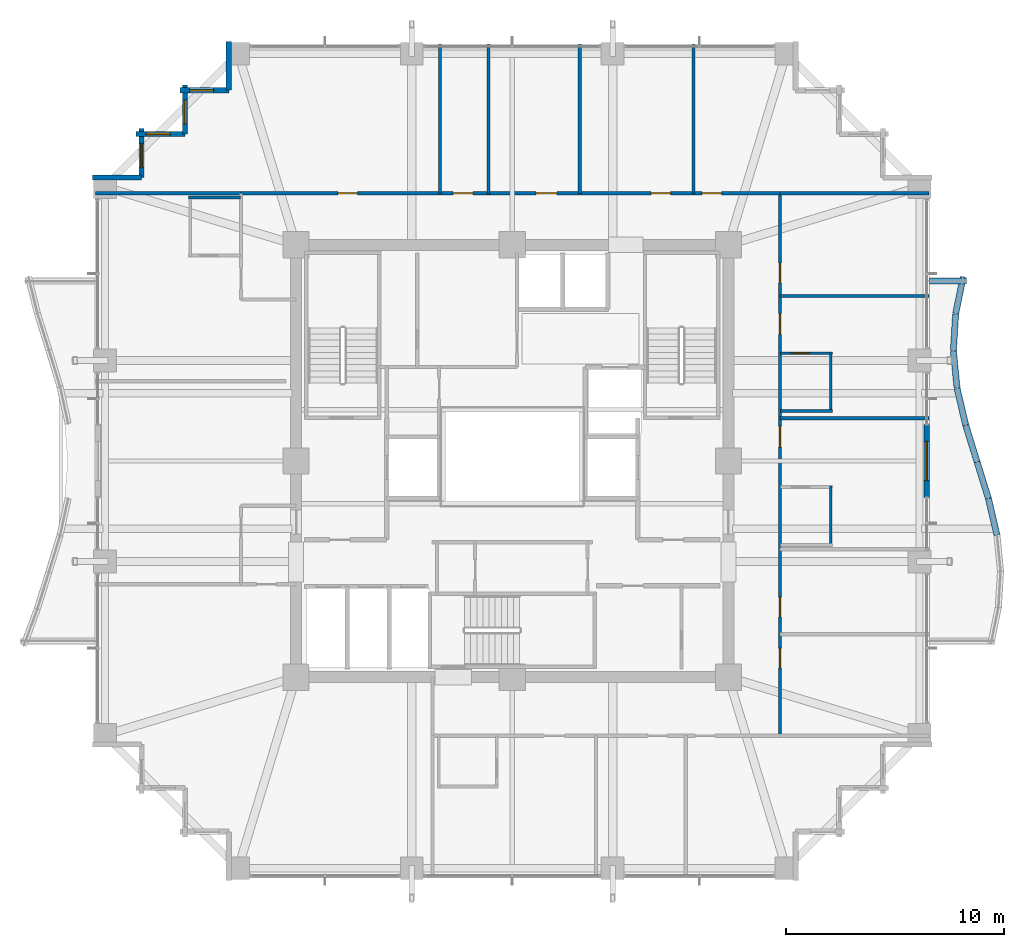
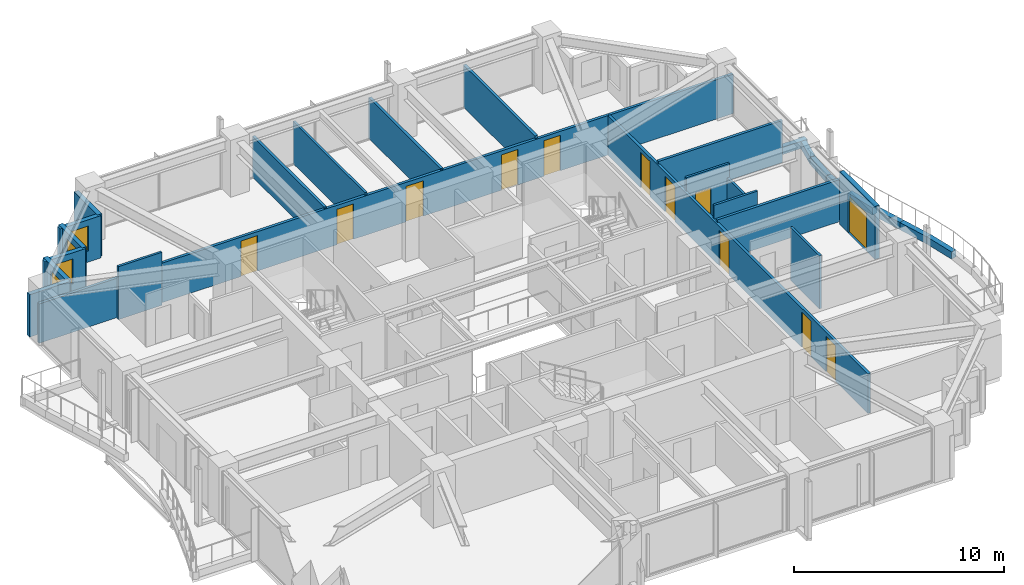
# One storey, part 32 of 35: 30 walls, 12 doors, 4 windows, 16 openings.
"""IFC4 building model written with IfcOpenShell, lengths in metres."""

import ifcopenshell
import ifcopenshell.guid

model = None  # the IFC model being written
_history = None  # IfcOwnerHistory: only IFC2X3 demands one
_inside = {}  # id of a spatial element -> (the spatial element, [elements in it])
_under = {}  # id of a project, library or spatial element -> (it, [spatial elements below it])
_declared = {}  # id of a project -> (the project, [libraries it declares])
_typed = {}  # id of a type object -> (the type object, [elements of that type])
_made_of = {}  # id of a material, layer set ... -> (it, [elements and type objects made of it])


def new_model(schema):
    """Start an empty IFC model of exactly this schema.

    Asked for "IFC4X3", IfcOpenShell would pick the latest addendum, in which some entities
    have other attributes; the version numbers below select the first issue.
    IFC2X3 requires an IfcOwnerHistory on every rooted entity: one is made here for all.
    """
    global model, _history
    if schema == "IFC4X3":
        model = ifcopenshell.file(schema_version=(4, 3, 0, 0))
    else:
        model = ifcopenshell.file(schema=schema)
    _inside.clear()
    _under.clear()
    _declared.clear()
    _typed.clear()
    _made_of.clear()
    _history = None
    if model.schema == "IFC2X3":
        org = make("IfcOrganization", Name="unknown")
        user = make(
            "IfcPersonAndOrganization",
            ThePerson=make("IfcPerson", FamilyName="unknown"),
            TheOrganization=org,
        )
        app = make(
            "IfcApplication",
            ApplicationDeveloper=org,
            Version="unknown",
            ApplicationFullName="unknown",
            ApplicationIdentifier="unknown",
        )
        _history = make(
            "IfcOwnerHistory",
            OwningUser=user,
            OwningApplication=app,
            ChangeAction="ADDED",
            CreationDate=0,
        )
    return model


def make(cls, **values):
    """One entity of the class cls with the attributes given. An attribute that is None is left unset."""
    return model.create_entity(
        cls, **{name: value for name, value in values.items() if value is not None}
    )


def rooted(cls, **values):
    """An entity with a GlobalId (a new one), such as an element, a storey or a relation."""
    return make(cls, GlobalId=ifcopenshell.guid.new(), OwnerHistory=_history, **values)


def si_unit(unit_type, name, prefix=None):
    """IfcSIUnit, for example si_unit("LENGTHUNIT", "METRE", prefix="MILLI")."""
    return make("IfcSIUnit", UnitType=unit_type, Prefix=prefix, Name=name)


def assignment(units):
    """IfcUnitAssignment: the units of a project."""
    return None if units is None else make("IfcUnitAssignment", Units=units)


def point(xyz):
    """IfcCartesianPoint."""
    return None if xyz is None else make("IfcCartesianPoint", Coordinates=xyz)


def direction(xyz):
    """IfcDirection."""
    return None if xyz is None else make("IfcDirection", DirectionRatios=xyz)


def frame(location, z_axis=None, x_axis=None):
    """IfcAxis2Placement3D, a coordinate frame: its origin and axes. An axis left out is left unset."""
    return make(
        "IfcAxis2Placement3D",
        Location=point(location),
        Axis=direction(z_axis),
        RefDirection=direction(x_axis),
    )


def frame_2d(location, x_axis=None):
    """IfcAxis2Placement2D, a coordinate frame in the plane: its origin and x axis."""
    return make(
        "IfcAxis2Placement2D", Location=point(location), RefDirection=direction(x_axis)
    )


def origin():
    """The frame at (0, 0, 0) with its axes left unset."""
    return frame((0.0, 0.0, 0.0))


def place(relative_to, where):
    """IfcLocalPlacement: puts the frame where relative to a parent placement (None: the world)."""
    return make(
        "IfcLocalPlacement", PlacementRelTo=relative_to, RelativePlacement=where
    )


def context(
    kind, dimensions, precision=None, world=None, true_north=None, identifier=None
):
    """IfcGeometricRepresentationContext, for example the 3D "Model" context."""
    return make(
        "IfcGeometricRepresentationContext",
        ContextIdentifier=identifier,
        ContextType=kind,
        CoordinateSpaceDimension=dimensions,
        Precision=precision,
        WorldCoordinateSystem=world,
        TrueNorth=true_north,
    )


def subcontext(parent, identifier, kind, view, scale=None):
    """IfcGeometricRepresentationSubContext, for example "Body" below "Model"."""
    return make(
        "IfcGeometricRepresentationSubContext",
        ContextIdentifier=identifier,
        ContextType=kind,
        ParentContext=parent,
        TargetScale=scale,
        TargetView=view,
    )


def project(units=None, contexts=None):
    """IfcProject with its units and contexts."""
    return rooted(
        "IfcProject",
        Name="project",
        RepresentationContexts=contexts,
        UnitsInContext=assignment(units),
    )


def spatial(cls, under=None, at=None, **own):
    """A site, building, storey or space (cls), placed at a placement, below another one or the project."""
    s = rooted(cls, ObjectPlacement=at, **own)
    if under is not None:
        _under.setdefault(under.id(), (under, []))[1].append(s)
    return s


def profile(cls, at=None, kind="AREA", **sizes):
    """A parametric profile (cls). Its sizes go by their IFC names, for example OverallWidth=200.0."""
    return make(cls, ProfileType=kind, Position=at, **sizes)


def rectangle(**sizes):
    """IfcRectangleProfileDef."""
    return profile("IfcRectangleProfileDef", **sizes)


def extrude(swept, where, along, depth):
    """IfcExtrudedAreaSolid: the profile swept, set in the frame where, extruded along a direction by depth."""
    return make(
        "IfcExtrudedAreaSolid",
        SweptArea=swept,
        Position=where,
        ExtrudedDirection=direction(along),
        Depth=depth,
    )


def shape(context_of_items, identifier, shape_type, items):
    """IfcShapeRepresentation: the items that make up one representation, for example the "Body"."""
    return make(
        "IfcShapeRepresentation",
        ContextOfItems=context_of_items,
        RepresentationIdentifier=identifier,
        RepresentationType=shape_type,
        Items=items,
    )


def material(Name=None, Category=None):
    """IfcMaterial."""
    return make("IfcMaterial", Name=Name, Category=Category)


def layer(
    of_material, thickness, ventilated=None, Name=None, Category=None, Priority=None
):
    """IfcMaterialLayer: one layer of a wall or slab, of a material (None: an air gap)."""
    return make(
        "IfcMaterialLayer",
        Material=of_material,
        LayerThickness=thickness,
        IsVentilated=ventilated,
        Name=Name,
        Category=Category,
        Priority=Priority,
    )


def layer_set(layers, Name=None):
    """IfcMaterialLayerSet."""
    return make("IfcMaterialLayerSet", MaterialLayers=layers, LayerSetName=Name)


def made_of(thing, what):
    """Note that an element or type object is made of a material, layer set ...; save() writes the relation."""
    if what is not None:
        _made_of.setdefault(what.id(), (what, []))[1].append(thing)
    return thing


def type_object(cls, material=None, **own):
    """A type object (cls), such as IfcWallType, which elements share."""
    return made_of(rooted(cls, **own), material)


def element(
    cls,
    number,
    at=None,
    inside=None,
    cuts=None,
    type_object=None,
    material=None,
    context=None,
    identifier="Body",
    shape_type=None,
    held_by="IfcProductDefinitionShape",
    body=None,
    shapes=None,
    **own,
):
    """One element of the class cls, such as IfcWall. Its Tag is "e" and its number.

    at: its placement. inside: the storey or other place that contains it. cuts: it is an
    opening in that element (IfcRelVoidsElement). A single representation is given by context,
    identifier, shape_type and body (its items); several are given by shapes. held_by: the class
    of the entity that holds the representations. save() writes the other relations.
    """
    e = rooted(cls, Tag="e%d" % number, ObjectPlacement=at, **own)
    if body is not None:
        shapes = [shape(context, identifier, shape_type, body)]
    if shapes is not None:
        e.Representation = make(held_by, Representations=shapes)
    if inside is not None:
        _inside.setdefault(inside.id(), (inside, []))[1].append(e)
    if cuts is not None:
        rooted(
            "IfcRelVoidsElement", RelatingBuildingElement=cuts, RelatedOpeningElement=e
        )
    if type_object is not None:
        _typed.setdefault(type_object.id(), (type_object, []))[1].append(e)
    return made_of(e, material)


def fill(opening, filler):
    """IfcRelFillsElement: the door or window that sits in an opening."""
    return rooted(
        "IfcRelFillsElement",
        RelatingOpeningElement=opening,
        RelatedBuildingElement=filler,
    )


def aggregate(whole, parts):
    """IfcRelAggregates: a whole, such as a stair, and the parts it consists of."""
    return rooted("IfcRelAggregates", RelatingObject=whole, RelatedObjects=parts)


def save(model, path):
    """Write the relations noted so far, then the file.

    IfcRelAggregates (storeys below a building ...), IfcRelContainedInSpatialStructure (elements
    in a storey), IfcRelDefinesByType, IfcRelAssociatesMaterial and IfcRelDeclares: one each for
    every whole, place, type object, material and project.
    """
    for whole, parts in _under.values():
        aggregate(whole, parts)
    for where, things in _inside.values():
        rooted(
            "IfcRelContainedInSpatialStructure",
            RelatedElements=things,
            RelatingStructure=where,
        )
    for kind, things in _typed.values():
        rooted("IfcRelDefinesByType", RelatedObjects=things, RelatingType=kind)
    for what, things in _made_of.values():
        rooted("IfcRelAssociatesMaterial", RelatedObjects=things, RelatingMaterial=what)
    for by, libraries in _declared.values():
        rooted("IfcRelDeclares", RelatingContext=by, RelatedDefinitions=libraries)
    model.write(path)


model = new_model("IFC4")

# Units and contexts
model_context = context("Model", 3, precision=1e-05, world=origin(), true_north=direction((0.0, 1.0)))
body_context = subcontext(model_context, "Body", "Model", "MODEL_VIEW")
ifc_project = project(units=[si_unit("LENGTHUNIT", "METRE"), si_unit("AREAUNIT", "SQUARE_METRE"), si_unit("VOLUMEUNIT", "CUBIC_METRE"), si_unit("PLANEANGLEUNIT", "RADIAN"), si_unit("MASSUNIT", "GRAM", prefix="KILO")], contexts=[model_context])

# Site, building, storey
site_placement = place(None, origin())
site = spatial("IfcSite", under=ifc_project, at=site_placement, CompositionType="ELEMENT")
building_placement = place(site_placement, origin())
building = spatial("IfcBuilding", under=site, at=building_placement, Name="Kolvaren Belvedere", CompositionType="ELEMENT")
storey_placement = place(building_placement, frame((0.0, 0.0, 115.10009765625)))
storey = spatial("IfcBuildingStorey", under=building, at=storey_placement, Name="L33", CompositionType="ELEMENT", Elevation=115.10009765625)

# Wall, openings, doors
ifc_material_1 = material(Name="Gypsum fire-rated partition assembly", Category="gypsum")
ifc_layer_1 = layer(ifc_material_1, 0.14990234375)
ifc_layer_set_1 = layer_set([ifc_layer_1], Name="Gypsum fire-rated partition assembly")
wall_type_1 = type_object("IfcWallType", Name="WL-CORR-150", PredefinedType="PARTITIONING", material=ifc_layer_set_1)
wall_1_placement = place(storey_placement, frame((-12.419921875, 12.260009765625, 0.0), z_axis=(0.0, 0.0, 1.0), x_axis=(1.0, 0.0, 0.0)))
wall_1 = element("IfcWall", 1, at=wall_1_placement, inside=storey, type_object=wall_type_1, Name="L33 North Corridor Wall", PredefinedType="PARTITIONING", context=body_context, shape_type="SweptSolid", body=[
    extrude(rectangle(XDim=24.679931640625, YDim=0.14990234375, at=frame_2d((12.33984375, 0.0))), origin(), (0.0, 0.0, 1.0), 2.2919921875),
])
opening_1_placement = place(wall_1_placement, frame((4.43505859375, 0.0, 0.0)))
opening_1 = element("IfcOpeningElement", 2, at=opening_1_placement, cuts=wall_1, Name="Opening D-INT90", PredefinedType="OPENING", context=body_context, shape_type="SweptSolid", body=[
    extrude(rectangle(XDim=0.89990234375, YDim=2.06005859375, at=frame_2d((0.449951171875, 1.030029296875))), frame((0.0, 0.0849609375, 0.0), z_axis=(0.0, -1.0, 0.0), x_axis=(1.0, 0.0, 0.0)), (0.0, 0.0, 1.0), 0.169921875),
])
opening_2_placement = place(wall_1_placement, frame((9.717529296875, 0.0, 0.0)))
opening_2 = element("IfcOpeningElement", 3, at=opening_2_placement, cuts=wall_1, Name="Opening D-INT90", PredefinedType="OPENING", context=body_context, shape_type="SweptSolid", body=[
    extrude(rectangle(XDim=0.89990234375, YDim=2.06005859375, at=frame_2d((0.449951171875, 1.030029296875))), frame((0.0, 0.0849609375, 0.0), z_axis=(0.0, -1.0, 0.0), x_axis=(1.0, 0.0, 0.0)), (0.0, 0.0, 1.0), 0.169921875),
])
opening_3_placement = place(wall_1_placement, frame((13.51611328125, 0.0, 0.0)))
opening_3 = element("IfcOpeningElement", 4, at=opening_3_placement, cuts=wall_1, Name="Opening D-INT95", PredefinedType="OPENING", context=body_context, shape_type="SweptSolid", body=[
    extrude(rectangle(XDim=0.949951171875, YDim=2.06005859375, at=frame_2d((0.47509765625, 1.030029296875))), frame((0.0, 0.0849609375, 0.0), z_axis=(0.0, -1.0, 0.0), x_axis=(1.0, 0.0, 0.0)), (0.0, 0.0, 1.0), 0.169921875),
])
opening_4_placement = place(wall_1_placement, frame((18.77197265625, 0.0, 0.0)))
opening_4 = element("IfcOpeningElement", 5, at=opening_4_placement, cuts=wall_1, Name="Opening D-INT90", PredefinedType="OPENING", context=body_context, shape_type="SweptSolid", body=[
    extrude(rectangle(XDim=0.89990234375, YDim=2.06005859375, at=frame_2d((0.449951171875, 1.030029296875))), frame((0.0, 0.0849609375, 0.0), z_axis=(0.0, -1.0, 0.0), x_axis=(1.0, 0.0, 0.0)), (0.0, 0.0, 1.0), 0.169921875),
])
opening_5_placement = place(wall_1_placement, frame((21.10693359375, 0.0, 0.0)))
opening_5 = element("IfcOpeningElement", 6, at=opening_5_placement, cuts=wall_1, Name="Opening D-INT90", PredefinedType="OPENING", context=body_context, shape_type="SweptSolid", body=[
    extrude(rectangle(XDim=0.89990234375, YDim=2.06005859375, at=frame_2d((0.449951171875, 1.030029296875))), frame((0.0, 0.0849609375, 0.0), z_axis=(0.0, -1.0, 0.0), x_axis=(1.0, 0.0, 0.0)), (0.0, 0.0, 1.0), 0.169921875),
])
ifc_material_2 = material(Name="Stained Pacific white oak", Category="timber")
door_type_1 = type_object("IfcDoorType", Name="DR-INT-900", OperationType="NOTDEFINED", PredefinedType="DOOR", material=ifc_material_2)
door_1_placement = place(opening_1_placement, origin())
door_1 = element("IfcDoor", 7, at=door_1_placement, inside=storey, type_object=door_type_1, Name="L33 Guest Tea & Espresso Kitchen 3301 Door", OperationType="SINGLE_SWING_RIGHT", OverallHeight=2.06005859375, OverallWidth=0.89990234375, PredefinedType="DOOR", context=body_context, shape_type="SweptSolid", body=[
    extrude(rectangle(XDim=0.89990234375, YDim=2.06005859375, at=frame_2d((0.449951171875, 1.030029296875))), frame((0.0, 0.02490234375, 0.0), z_axis=(0.0, -1.0, 0.0), x_axis=(1.0, 0.0, 0.0)), (0.0, 0.0, 1.0), 0.050048828125),
])
fill(opening_1, door_1)
door_2_placement = place(opening_2_placement, origin())
door_2 = element("IfcDoor", 8, at=door_2_placement, inside=storey, type_object=door_type_1, Name="L33 Housekeeping Door", OperationType="SINGLE_SWING_LEFT", OverallHeight=2.06005859375, OverallWidth=0.89990234375, PredefinedType="DOOR", context=body_context, shape_type="SweptSolid", body=[
    extrude(rectangle(XDim=0.89990234375, YDim=2.06005859375, at=frame_2d((0.449951171875, 1.030029296875))), frame((0.0, 0.02490234375, 0.0), z_axis=(0.0, -1.0, 0.0), x_axis=(1.0, 0.0, 0.0)), (0.0, 0.0, 1.0), 0.050048828125),
])
fill(opening_2, door_2)
door_3_placement = place(opening_4_placement, origin())
door_3 = element("IfcDoor", 9, at=door_3_placement, inside=storey, type_object=door_type_1, Name="L33 Wellness Yoga & Reading Gym 3302 Door", OperationType="SINGLE_SWING_LEFT", OverallHeight=2.06005859375, OverallWidth=0.89990234375, PredefinedType="DOOR", context=body_context, shape_type="SweptSolid", body=[
    extrude(rectangle(XDim=0.89990234375, YDim=2.06005859375, at=frame_2d((0.449951171875, 1.030029296875))), frame((0.0, 0.02490234375, 0.0), z_axis=(0.0, -1.0, 0.0), x_axis=(1.0, 0.0, 0.0)), (0.0, 0.0, 1.0), 0.050048828125),
])
fill(opening_4, door_3)
door_4_placement = place(opening_5_placement, origin())
door_4 = element("IfcDoor", 10, at=door_4_placement, inside=storey, type_object=door_type_1, Name="L33 Private Hospitality Meeting Room 3303 Door", OperationType="SINGLE_SWING_RIGHT", OverallHeight=2.06005859375, OverallWidth=0.89990234375, PredefinedType="DOOR", context=body_context, shape_type="SweptSolid", body=[
    extrude(rectangle(XDim=0.89990234375, YDim=2.06005859375, at=frame_2d((0.449951171875, 1.030029296875))), frame((0.0, 0.02490234375, 0.0), z_axis=(0.0, -1.0, 0.0), x_axis=(1.0, 0.0, 0.0)), (0.0, 0.0, 1.0), 0.050048828125),
])
fill(opening_5, door_4)
ifc_material_3 = material(Name="Stained Pacific white oak", Category="timber")
door_type_2 = type_object("IfcDoorType", Name="DR-INT-950", OperationType="NOTDEFINED", PredefinedType="DOOR", material=ifc_material_3)
door_5_placement = place(opening_3_placement, origin())
door_5 = element("IfcDoor", 11, at=door_5_placement, inside=storey, type_object=door_type_2, Name="L33 Accessible Washroom Door", OperationType="SINGLE_SWING_RIGHT", OverallHeight=2.06005859375, OverallWidth=0.949951171875, PredefinedType="DOOR", context=body_context, shape_type="SweptSolid", body=[
    extrude(rectangle(XDim=0.949951171875, YDim=2.06005859375, at=frame_2d((0.47509765625, 1.030029296875))), frame((0.0, 0.02490234375, 0.0), z_axis=(0.0, -1.0, 0.0), x_axis=(1.0, 0.0, 0.0)), (0.0, 0.0, 1.0), 0.050048828125),
])
fill(opening_3, door_5)

wall_2_placement = place(storey_placement, frame((12.260009765625, -12.580078125, 0.0), z_axis=(0.0, 0.0, 1.0), x_axis=(0.0, 1.0, 0.0)))
wall_2 = element("IfcWall", 12, at=wall_2_placement, inside=storey, type_object=wall_type_1, Name="L33 East Corridor Wall", PredefinedType="PARTITIONING", context=body_context, shape_type="SweptSolid", body=[
    extrude(rectangle(XDim=24.840087890625, YDim=0.14990234375, at=frame_2d((12.419921875, 0.0))), origin(), (0.0, 0.0, 1.0), 2.2919921875),
])
opening_6_placement = place(wall_2_placement, frame((3.1044921875, 0.0, 0.0)))
opening_6 = element("IfcOpeningElement", 13, at=opening_6_placement, cuts=wall_2, Name="Opening D-INT90", PredefinedType="OPENING", context=body_context, shape_type="SweptSolid", body=[
    extrude(rectangle(XDim=0.89990234375, YDim=2.06005859375, at=frame_2d((0.449951171875, 1.030029296875))), frame((0.0, 0.0849609375, 0.0), z_axis=(0.0, -1.0, 0.0), x_axis=(1.0, 0.0, 0.0)), (0.0, 0.0, 1.0), 0.169921875),
])
opening_7_placement = place(wall_2_placement, frame((5.439453125, 0.0, 0.0)))
opening_7 = element("IfcOpeningElement", 14, at=opening_7_placement, cuts=wall_2, Name="Opening D-INT90", PredefinedType="OPENING", context=body_context, shape_type="SweptSolid", body=[
    extrude(rectangle(XDim=0.89990234375, YDim=2.06005859375, at=frame_2d((0.449951171875, 1.030029296875))), frame((0.0, 0.0849609375, 0.0), z_axis=(0.0, -1.0, 0.0), x_axis=(1.0, 0.0, 0.0)), (0.0, 0.0, 1.0), 0.169921875),
])
opening_8_placement = place(wall_2_placement, frame((13.219482421875, 0.0, 0.0)))
opening_8 = element("IfcOpeningElement", 15, at=opening_8_placement, cuts=wall_2, Name="Opening D-FD60", PredefinedType="OPENING", context=body_context, shape_type="SweptSolid", body=[
    extrude(rectangle(XDim=0.949951171875, YDim=2.06005859375, at=frame_2d((0.47509765625, 1.030029296875))), frame((0.0, 0.0849609375, 0.0), z_axis=(0.0, -1.0, 0.0), x_axis=(1.0, 0.0, 0.0)), (0.0, 0.0, 1.0), 0.169921875),
])
opening_9_placement = place(wall_2_placement, frame((18.376953125, 0.0, 0.0)))
opening_9 = element("IfcOpeningElement", 16, at=opening_9_placement, cuts=wall_2, Name="Opening D-FD60", PredefinedType="OPENING", context=body_context, shape_type="SweptSolid", body=[
    extrude(rectangle(XDim=0.949951171875, YDim=2.06005859375, at=frame_2d((0.47509765625, 1.030029296875))), frame((0.0, 0.0849609375, 0.0), z_axis=(0.0, -1.0, 0.0), x_axis=(1.0, 0.0, 0.0)), (0.0, 0.0, 1.0), 0.169921875),
])
opening_10_placement = place(wall_2_placement, frame((20.73681640625, 0.0, 0.0)))
opening_10 = element("IfcOpeningElement", 17, at=opening_10_placement, cuts=wall_2, Name="Opening D-INT90", PredefinedType="OPENING", context=body_context, shape_type="SweptSolid", body=[
    extrude(rectangle(XDim=0.89990234375, YDim=2.06005859375, at=frame_2d((0.449951171875, 1.030029296875))), frame((0.0, 0.0849609375, 0.0), z_axis=(0.0, -1.0, 0.0), x_axis=(1.0, 0.0, 0.0)), (0.0, 0.0, 1.0), 0.169921875),
])
ifc_material_4 = material(Name="Acoustic white-oak fire door leaf", Category="timber")
door_type_3 = type_object("IfcDoorType", Name="DR-FD60-950", OperationType="NOTDEFINED", PredefinedType="DOOR", material=ifc_material_4)
door_6_placement = place(opening_8_placement, origin())
door_6 = element("IfcDoor", 18, at=door_6_placement, inside=storey, type_object=door_type_3, Name="L33 King Guest Room 3306 Entry Door", OperationType="SINGLE_SWING_RIGHT", OverallHeight=2.06005859375, OverallWidth=0.949951171875, PredefinedType="DOOR", context=body_context, shape_type="SweptSolid", body=[
    extrude(rectangle(XDim=0.949951171875, YDim=2.06005859375, at=frame_2d((0.47509765625, 1.030029296875))), frame((0.0, 0.02490234375, 0.0), z_axis=(0.0, -1.0, 0.0), x_axis=(1.0, 0.0, 0.0)), (0.0, 0.0, 1.0), 0.050048828125),
])
fill(opening_8, door_6)
door_7_placement = place(opening_9_placement, origin())
door_7 = element("IfcDoor", 19, at=door_7_placement, inside=storey, type_object=door_type_3, Name="L33 Botanical Hospitality Suite 3307 Entry Door", OperationType="SINGLE_SWING_RIGHT", OverallHeight=2.06005859375, OverallWidth=0.949951171875, PredefinedType="DOOR", context=body_context, shape_type="SweptSolid", body=[
    extrude(rectangle(XDim=0.949951171875, YDim=2.06005859375, at=frame_2d((0.47509765625, 1.030029296875))), frame((0.0, 0.02490234375, 0.0), z_axis=(0.0, -1.0, 0.0), x_axis=(1.0, 0.0, 0.0)), (0.0, 0.0, 1.0), 0.050048828125),
])
fill(opening_9, door_7)
door_8_placement = place(opening_6_placement, origin())
door_8 = element("IfcDoor", 20, at=door_8_placement, inside=storey, type_object=door_type_1, Name="L33 Botanical Reading Salon 3304 Door", OperationType="SINGLE_SWING_LEFT", OverallHeight=2.06005859375, OverallWidth=0.89990234375, PredefinedType="DOOR", context=body_context, shape_type="SweptSolid", body=[
    extrude(rectangle(XDim=0.89990234375, YDim=2.06005859375, at=frame_2d((0.449951171875, 1.030029296875))), frame((0.0, 0.02490234375, 0.0), z_axis=(0.0, -1.0, 0.0), x_axis=(1.0, 0.0, 0.0)), (0.0, 0.0, 1.0), 0.050048828125),
])
fill(opening_6, door_8)
door_9_placement = place(opening_7_placement, origin())
door_9 = element("IfcDoor", 21, at=door_9_placement, inside=storey, type_object=door_type_1, Name="L33 Lounge 3305 Door", OperationType="SINGLE_SWING_RIGHT", OverallHeight=2.06005859375, OverallWidth=0.89990234375, PredefinedType="DOOR", context=body_context, shape_type="SweptSolid", body=[
    extrude(rectangle(XDim=0.89990234375, YDim=2.06005859375, at=frame_2d((0.449951171875, 1.030029296875))), frame((0.0, 0.02490234375, 0.0), z_axis=(0.0, -1.0, 0.0), x_axis=(1.0, 0.0, 0.0)), (0.0, 0.0, 1.0), 0.050048828125),
])
fill(opening_7, door_9)
door_10_placement = place(opening_10_placement, origin())
door_10 = element("IfcDoor", 22, at=door_10_placement, inside=storey, type_object=door_type_1, Name="L33 Lounge 3308 Door", OperationType="SINGLE_SWING_LEFT", OverallHeight=2.06005859375, OverallWidth=0.89990234375, PredefinedType="DOOR", context=body_context, shape_type="SweptSolid", body=[
    extrude(rectangle(XDim=0.89990234375, YDim=2.06005859375, at=frame_2d((0.449951171875, 1.030029296875))), frame((0.0, 0.02490234375, 0.0), z_axis=(0.0, -1.0, 0.0), x_axis=(1.0, 0.0, 0.0)), (0.0, 0.0, 1.0), 0.050048828125),
])
fill(opening_10, door_10)

# Wall, opening, door
ifc_material_5 = material(Name="Insulated pale-metal facade wall assembly", Category="aluminium")
ifc_layer_2 = layer(ifc_material_5, 0.239990234375)
ifc_layer_set_2 = layer_set([ifc_layer_2], Name="Insulated pale-metal facade wall assembly")
wall_type_2 = type_object("IfcWallType", Name="WL-EXT-240", PredefinedType="STANDARD", material=ifc_layer_set_2)
wall_3_placement = place(storey_placement, frame((18.97998046875, 1.679931640625, 0.0), z_axis=(0.0, 0.0, 1.0), x_axis=(0.0, -1.0, 0.0)))
wall_3 = element("IfcWall", 23, at=wall_3_placement, inside=storey, type_object=wall_type_2, Name="L33 East Terrace Portal Wall", PredefinedType="STANDARD", context=body_context, shape_type="SweptSolid", body=[
    extrude(rectangle(XDim=3.35986328125, YDim=0.239990234375, at=frame_2d((1.679931640625, 0.0))), origin(), (0.0, 0.0, 1.0), 3.079833984375),
])
opening_11_placement = place(wall_3_placement, frame((0.780029296875, 0.0, 0.0)))
opening_11 = element("IfcOpeningElement", 24, at=opening_11_placement, cuts=wall_3, Name="Opening DB-1800", PredefinedType="OPENING", context=body_context, shape_type="SweptSolid", body=[
    extrude(rectangle(XDim=1.800048828125, YDim=2.199951171875, at=frame_2d((0.89990234375, 1.10009765625))), frame((0.0, 0.1298828125, 0.0), z_axis=(0.0, -1.0, 0.0), x_axis=(1.0, 0.0, 0.0)), (0.0, 0.0, 1.0), 0.260009765625),
])
ifc_material_6 = material(Name="Thermally broken pale-metal aluminium & low-iron glass", Category="aluminium")
door_type_4 = type_object("IfcDoorType", Name="DR-BAL-1800", OperationType="DOUBLE_DOOR_SLIDING", PredefinedType="DOOR", material=ifc_material_6)
door_11_placement = place(opening_11_placement, origin())
door_11 = element("IfcDoor", 25, at=door_11_placement, inside=storey, type_object=door_type_4, Name="L33 East Planted Terrace Sliding Door", OperationType="DOUBLE_DOOR_SLIDING", OverallHeight=2.199951171875, OverallWidth=1.800048828125, PredefinedType="DOOR", context=body_context, shape_type="SweptSolid", body=[
    extrude(rectangle(XDim=1.800048828125, YDim=2.199951171875, at=frame_2d((0.89990234375, 1.10009765625))), frame((0.0, 0.02490234375, 0.0), z_axis=(0.0, -1.0, 0.0), x_axis=(1.0, 0.0, 0.0)), (0.0, 0.0, 1.0), 0.050048828125),
])
fill(opening_11, door_11)

# Wall
wall_4_placement = place(storey_placement, frame((-12.97998046875, 16.97998046875, 0.0), z_axis=(0.0, 0.0, 1.0), x_axis=(0.0, 1.0, 0.0)))
element("IfcWall", 26, at=wall_4_placement, inside=storey, type_object=wall_type_2, Name="L33 Serrated Corner Facade Wall 16", PredefinedType="STANDARD", context=body_context, shape_type="SweptSolid", body=[
    extrude(rectangle(XDim=2.239990234375, YDim=0.239990234375, at=frame_2d((1.1201171875, 0.0))), origin(), (0.0, 0.0, 1.0), 2.458984375),
])

# Wall, opening, window
wall_5_placement = place(storey_placement, frame((-15.219970703125, 16.97998046875, 0.0), z_axis=(0.0, 0.0, 1.0), x_axis=(1.0, 0.0, 0.0)))
wall_5 = element("IfcWall", 27, at=wall_5_placement, inside=storey, type_object=wall_type_2, Name="L33 Serrated Corner Facade Wall 17", PredefinedType="STANDARD", context=body_context, shape_type="SweptSolid", body=[
    extrude(rectangle(XDim=2.239990234375, YDim=0.239990234375, at=frame_2d((1.1201171875, 0.0))), origin(), (0.0, 0.0, 1.0), 2.458984375),
])
opening_12_placement = place(wall_5_placement, frame((0.449951171875, 0.0, 0.64990234375)))
opening_12 = element("IfcOpeningElement", 28, at=opening_12_placement, cuts=wall_5, Name="Opening W-1100", PredefinedType="OPENING", context=body_context, shape_type="SweptSolid", body=[
    extrude(rectangle(XDim=1.10009765625, YDim=1.449951171875, at=frame_2d((0.550048828125, 0.72509765625))), frame((0.0, 0.1298828125, 0.0), z_axis=(0.0, -1.0, 0.0), x_axis=(1.0, 0.0, 0.0)), (0.0, 0.0, 1.0), 0.260009765625),
])
ifc_material_7 = material(Name="Low-iron triple insulated glass", Category="glass")
window_type = type_object("IfcWindowType", Name="WN-CORN-1100", PartitioningType="SINGLE_PANEL", PredefinedType="WINDOW", material=ifc_material_7)
window_1_placement = place(opening_12_placement, origin())
window_1 = element("IfcWindow", 29, at=window_1_placement, inside=storey, type_object=window_type, Name="L33 Serrated Corner Vision Window 17", OverallHeight=1.449951171875, OverallWidth=1.10009765625, PartitioningType="SINGLE_PANEL", PredefinedType="WINDOW", context=body_context, shape_type="SweptSolid", body=[
    extrude(rectangle(XDim=1.10009765625, YDim=1.449951171875, at=frame_2d((0.550048828125, 0.72509765625))), frame((0.0, 0.030029296875, 0.0), z_axis=(0.0, -1.0, 0.0), x_axis=(1.0, 0.0, 0.0)), (0.0, 0.0, 1.0), 0.06005859375),
])
fill(opening_12, window_1)

wall_6_placement = place(storey_placement, frame((-14.97998046875, 14.97998046875, 0.0), z_axis=(0.0, 0.0, 1.0), x_axis=(0.0, 1.0, 0.0)))
wall_6 = element("IfcWall", 30, at=wall_6_placement, inside=storey, type_object=wall_type_2, Name="L33 Serrated Corner Facade Wall 18", PredefinedType="STANDARD", context=body_context, shape_type="SweptSolid", body=[
    extrude(rectangle(XDim=2.239990234375, YDim=0.239990234375, at=frame_2d((1.1201171875, 0.0))), origin(), (0.0, 0.0, 1.0), 2.458984375),
])
opening_13_placement = place(wall_6_placement, frame((0.449951171875, 0.0, 0.64990234375)))
opening_13 = element("IfcOpeningElement", 31, at=opening_13_placement, cuts=wall_6, Name="Opening W-1100", PredefinedType="OPENING", context=body_context, shape_type="SweptSolid", body=[
    extrude(rectangle(XDim=1.10009765625, YDim=1.449951171875, at=frame_2d((0.550048828125, 0.72509765625))), frame((0.0, 0.1298828125, 0.0), z_axis=(0.0, -1.0, 0.0), x_axis=(1.0, 0.0, 0.0)), (0.0, 0.0, 1.0), 0.260009765625),
])
window_2_placement = place(opening_13_placement, origin())
window_2 = element("IfcWindow", 32, at=window_2_placement, inside=storey, type_object=window_type, Name="L33 Serrated Corner Vision Window 18", OverallHeight=1.449951171875, OverallWidth=1.10009765625, PartitioningType="SINGLE_PANEL", PredefinedType="WINDOW", context=body_context, shape_type="SweptSolid", body=[
    extrude(rectangle(XDim=1.10009765625, YDim=1.449951171875, at=frame_2d((0.550048828125, 0.72509765625))), frame((0.0, 0.030029296875, 0.0), z_axis=(0.0, -1.0, 0.0), x_axis=(1.0, 0.0, 0.0)), (0.0, 0.0, 1.0), 0.06005859375),
])
fill(opening_13, window_2)

wall_7_placement = place(storey_placement, frame((-17.219970703125, 14.97998046875, 0.0), z_axis=(0.0, 0.0, 1.0), x_axis=(1.0, 0.0, 0.0)))
wall_7 = element("IfcWall", 33, at=wall_7_placement, inside=storey, type_object=wall_type_2, Name="L33 Serrated Corner Facade Wall 19", PredefinedType="STANDARD", context=body_context, shape_type="SweptSolid", body=[
    extrude(rectangle(XDim=2.239990234375, YDim=0.239990234375, at=frame_2d((1.1201171875, 0.0))), origin(), (0.0, 0.0, 1.0), 2.458984375),
])
opening_14_placement = place(wall_7_placement, frame((0.449951171875, 0.0, 0.64990234375)))
opening_14 = element("IfcOpeningElement", 34, at=opening_14_placement, cuts=wall_7, Name="Opening W-1100", PredefinedType="OPENING", context=body_context, shape_type="SweptSolid", body=[
    extrude(rectangle(XDim=1.10009765625, YDim=1.449951171875, at=frame_2d((0.550048828125, 0.72509765625))), frame((0.0, 0.1298828125, 0.0), z_axis=(0.0, -1.0, 0.0), x_axis=(1.0, 0.0, 0.0)), (0.0, 0.0, 1.0), 0.260009765625),
])
window_3_placement = place(opening_14_placement, origin())
window_3 = element("IfcWindow", 35, at=window_3_placement, inside=storey, type_object=window_type, Name="L33 Serrated Corner Vision Window 19", OverallHeight=1.449951171875, OverallWidth=1.10009765625, PartitioningType="SINGLE_PANEL", PredefinedType="WINDOW", context=body_context, shape_type="SweptSolid", body=[
    extrude(rectangle(XDim=1.10009765625, YDim=1.449951171875, at=frame_2d((0.550048828125, 0.72509765625))), frame((0.0, 0.030029296875, 0.0), z_axis=(0.0, -1.0, 0.0), x_axis=(1.0, 0.0, 0.0)), (0.0, 0.0, 1.0), 0.06005859375),
])
fill(opening_14, window_3)

wall_8_placement = place(storey_placement, frame((-16.97998046875, 12.97998046875, 0.0), z_axis=(0.0, 0.0, 1.0), x_axis=(0.0, 1.0, 0.0)))
wall_8 = element("IfcWall", 36, at=wall_8_placement, inside=storey, type_object=wall_type_2, Name="L33 Serrated Corner Facade Wall 20", PredefinedType="STANDARD", context=body_context, shape_type="SweptSolid", body=[
    extrude(rectangle(XDim=2.239990234375, YDim=0.239990234375, at=frame_2d((1.1201171875, 0.0))), origin(), (0.0, 0.0, 1.0), 2.458984375),
])
opening_15_placement = place(wall_8_placement, frame((0.449951171875, 0.0, 0.64990234375)))
opening_15 = element("IfcOpeningElement", 37, at=opening_15_placement, cuts=wall_8, Name="Opening W-1100", PredefinedType="OPENING", context=body_context, shape_type="SweptSolid", body=[
    extrude(rectangle(XDim=1.10009765625, YDim=1.449951171875, at=frame_2d((0.550048828125, 0.72509765625))), frame((0.0, 0.1298828125, 0.0), z_axis=(0.0, -1.0, 0.0), x_axis=(1.0, 0.0, 0.0)), (0.0, 0.0, 1.0), 0.260009765625),
])
window_4_placement = place(opening_15_placement, origin())
window_4 = element("IfcWindow", 38, at=window_4_placement, inside=storey, type_object=window_type, Name="L33 Serrated Corner Vision Window 20", OverallHeight=1.449951171875, OverallWidth=1.10009765625, PartitioningType="SINGLE_PANEL", PredefinedType="WINDOW", context=body_context, shape_type="SweptSolid", body=[
    extrude(rectangle(XDim=1.10009765625, YDim=1.449951171875, at=frame_2d((0.550048828125, 0.72509765625))), frame((0.0, 0.030029296875, 0.0), z_axis=(0.0, -1.0, 0.0), x_axis=(1.0, 0.0, 0.0)), (0.0, 0.0, 1.0), 0.06005859375),
])
fill(opening_15, window_4)

# Walls
wall_9_placement = place(storey_placement, frame((-19.219970703125, 12.97998046875, 0.0), z_axis=(0.0, 0.0, 1.0), x_axis=(1.0, 0.0, 0.0)))
element("IfcWall", 39, at=wall_9_placement, inside=storey, type_object=wall_type_2, Name="L33 Serrated Corner Facade Wall 21", PredefinedType="STANDARD", context=body_context, shape_type="SweptSolid", body=[
    extrude(rectangle(XDim=2.239990234375, YDim=0.239990234375, at=frame_2d((1.1201171875, 0.0))), origin(), (0.0, 0.0, 1.0), 2.458984375),
])
ifc_material_8 = material(Name="Gypsum acoustic partition assembly", Category="gypsum")
ifc_layer_3 = layer(ifc_material_8, 0.14990234375)
ifc_layer_set_3 = layer_set([ifc_layer_3], Name="Gypsum acoustic partition assembly")
wall_type_3 = type_object("IfcWallType", Name="WL-PART-150", PredefinedType="PARTITIONING", material=ifc_layer_set_3)
wall_10_placement = place(storey_placement, frame((-19.080078125, 12.260009765625, 0.0), z_axis=(0.0, 0.0, 1.0), x_axis=(1.0, 0.0, 0.0)))
element("IfcWall", 40, at=wall_10_placement, inside=storey, type_object=wall_type_3, Name="L33 Wing Divider PW-L33-QNW", PredefinedType="PARTITIONING", context=body_context, shape_type="SweptSolid", body=[
    extrude(rectangle(XDim=6.66015625, YDim=0.14990234375, at=frame_2d((3.330078125, 0.0))), origin(), (0.0, 0.0, 1.0), 2.2919921875),
])
wall_11_placement = place(storey_placement, frame((12.260009765625, 12.260009765625, 0.0), z_axis=(0.0, 0.0, 1.0), x_axis=(1.0, 0.0, 0.0)))
element("IfcWall", 41, at=wall_11_placement, inside=storey, type_object=wall_type_3, Name="L33 Wing Divider PW-L33-QNE", PredefinedType="PARTITIONING", context=body_context, shape_type="SweptSolid", body=[
    extrude(rectangle(XDim=6.820068359375, YDim=0.14990234375, at=frame_2d((3.41015625, 0.0))), origin(), (0.0, 0.0, 1.0), 2.2919921875),
])
for number, where, z_axis, x_axis, name in (
    (42, (-3.303955078125, 12.260009765625, 0.0), (0.0, 0.0, 1.0), (0.0, 1.0, 0.0), "L33 North Suite Demising Wall 1"),
    (43, (3.095947265625, 12.260009765625, 0.0), (0.0, 0.0, 1.0), (0.0, 1.0, 0.0), "L33 North Suite Demising Wall 2"),
):
    element("IfcWall", number, at=place(storey_placement, frame(where, z_axis=z_axis, x_axis=x_axis)), inside=storey, type_object=wall_type_3, Name=name, PredefinedType="PARTITIONING", context=body_context, shape_type="SweptSolid", body=[
        extrude(rectangle(XDim=6.820068359375, YDim=0.14990234375, at=frame_2d((3.41015625, 0.0))), origin(), (0.0, 0.0, 1.0), 2.368896484375),
    ])
for number, where, z_axis, x_axis, name in (
    (44, (8.2958984375, 12.260009765625, 0.0), (0.0, 0.0, 1.0), (0.0, 1.0, 0.0), "L33 North Suite Demising Wall 3"),
    (45, (12.260009765625, 1.9599609375, 0.0), (0.0, 0.0, 1.0), (1.0, 0.0, 0.0), "L33 East Suite Demising Wall 3"),
    (46, (12.260009765625, 7.56005859375, 0.0), (0.0, 0.0, 1.0), (1.0, 0.0, 0.0), "L33 East Suite Demising Wall 4"),
):
    element("IfcWall", number, at=place(storey_placement, frame(where, z_axis=z_axis, x_axis=x_axis)), inside=storey, type_object=wall_type_3, Name=name, PredefinedType="PARTITIONING", context=body_context, shape_type="SweptSolid", body=[
        extrude(rectangle(XDim=6.820068359375, YDim=0.14990234375, at=frame_2d((3.41015625, 0.0))), origin(), (0.0, 0.0, 1.0), 2.448974609375),
    ])
ifc_material_9 = material(Name="Precast concrete C40/50", Category="concrete")
ifc_layer_4 = layer(ifc_material_9, 0.300048828125)
ifc_layer_set_4 = layer_set([ifc_layer_4], Name="Precast concrete C40/50")
wall_type_4 = type_object("IfcWallType", Name="WL-PLANTER-300", PredefinedType="PARAPET", material=ifc_layer_set_4)
wall_12_placement = place(storey_placement, frame((22.196044921875, -3.396240234375, -0.0400390625), z_axis=(0.0, 0.0, 1.0), x_axis=(-0.227019323824, 0.973890253884, 0.0)))
element("IfcWall", 47, at=wall_12_placement, inside=storey, type_object=wall_type_4, Name="L33 Precast Structural Planter Wall BAL-E-4", PredefinedType="PARAPET", context=body_context, shape_type="SweptSolid", body=[
    extrude(rectangle(XDim=1.724853515625, YDim=0.280029296875, at=frame_2d((0.8623046875, 0.0))), origin(), (0.0, 0.0, 1.0), 0.419921875),
])
for number, where, z_axis, x_axis, name in (
    (48, (21.8076171875, -1.727294921875, -0.0400390625), (0.0, 0.0, 1.0), (-0.295958190359, 0.955200894869, 0.0), "L33 Precast Structural Planter Wall BAL-E-5"),
    (49, (21.287109375, -0.04736328125, -0.0400390625), (0.0, 0.0, 1.0), (-0.29579229954, 0.955252278476, 0.0), "L33 Precast Structural Planter Wall BAL-E-6"),
):
    element("IfcWall", number, at=place(storey_placement, frame(where, z_axis=z_axis, x_axis=x_axis)), inside=storey, type_object=wall_type_4, Name=name, PredefinedType="PARAPET", context=body_context, shape_type="SweptSolid", body=[
        extrude(rectangle(XDim=1.7587890625, YDim=0.280029296875, at=frame_2d((0.87939453125, 0.0))), origin(), (0.0, 0.0, 1.0), 0.419921875),
    ])
wall_13_placement = place(storey_placement, frame((20.763916015625, 1.643798828125, -0.0400390625), z_axis=(0.0, 0.0, 1.0), x_axis=(-0.227019323824, 0.973890253884, 0.0)))
element("IfcWall", 50, at=wall_13_placement, inside=storey, type_object=wall_type_4, Name="L33 Precast Structural Planter Wall BAL-E-7", PredefinedType="PARAPET", context=body_context, shape_type="SweptSolid", body=[
    extrude(rectangle(XDim=1.724853515625, YDim=0.280029296875, at=frame_2d((0.8623046875, 0.0))), origin(), (0.0, 0.0, 1.0), 0.419921875),
])
wall_14_placement = place(storey_placement, frame((20.368896484375, 3.34423828125, -0.0400390625), z_axis=(0.0, 0.0, 1.0), x_axis=(-0.098329649867, 0.995153897624, 0.0)))
element("IfcWall", 51, at=wall_14_placement, inside=storey, type_object=wall_type_4, Name="L33 Precast Structural Planter Wall BAL-E-8", PredefinedType="PARAPET", context=body_context, shape_type="SweptSolid", body=[
    extrude(rectangle(XDim=1.6884765625, YDim=0.280029296875, at=frame_2d((0.84423828125, 0.0))), origin(), (0.0, 0.0, 1.0), 0.419921875),
])
wall_15_placement = place(storey_placement, frame((20.202392578125, 5.049560546875, -0.0400390625), z_axis=(0.0, 0.0, 1.0), x_axis=(0.059767979379, 0.998212296378, 0.0)))
element("IfcWall", 52, at=wall_15_placement, inside=storey, type_object=wall_type_4, Name="L33 Precast Structural Planter Wall BAL-E-9", PredefinedType="PARAPET", context=body_context, shape_type="SweptSolid", body=[
    extrude(rectangle(XDim=1.682861328125, YDim=0.280029296875, at=frame_2d((0.84130859375, 0.0))), origin(), (0.0, 0.0, 1.0), 0.419921875),
])
wall_16_placement = place(storey_placement, frame((20.305908203125, 6.751953125, -0.0400390625), z_axis=(0.0, 0.0, 1.0), x_axis=(0.199784246163, 0.979839912937, 0.0)))
element("IfcWall", 53, at=wall_16_placement, inside=storey, type_object=wall_type_4, Name="L33 Precast Structural Planter Wall BAL-E-10", PredefinedType="PARAPET", context=body_context, shape_type="SweptSolid", body=[
    extrude(rectangle(XDim=1.714599609375, YDim=0.280029296875, at=frame_2d((0.857421875, 0.0))), origin(), (0.0, 0.0, 1.0), 0.419921875),
])
wall_17_placement = place(storey_placement, frame((20.80517578125, 8.239990234375, -0.0400390625), z_axis=(0.0, 0.0, 1.0), x_axis=(-1.0, 0.0, 0.0)))
element("IfcWall", 54, at=wall_17_placement, inside=storey, type_object=wall_type_4, Name="L33 Precast Structural Planter Wall BAL-E-11", PredefinedType="PARAPET", context=body_context, shape_type="SweptSolid", body=[
    extrude(rectangle(XDim=1.705078125, YDim=0.280029296875, at=frame_2d((0.8525390625, 0.0))), origin(), (0.0, 0.0, 1.0), 0.419921875),
])
ifc_material_10 = material(Name="Moisture-resistant gypsum partition", Category="gypsum")
ifc_layer_5 = layer(ifc_material_10, 0.125)
ifc_layer_set_5 = layer_set([ifc_layer_5], Name="Moisture-resistant gypsum partition")
wall_type_5 = type_object("IfcWallType", Name="WL-WET-125", PredefinedType="PARTITIONING", material=ifc_layer_set_5)
wall_18_placement = place(storey_placement, frame((-1.0830078125, 12.235107421875, 0.0), z_axis=(0.0, 0.0, 1.0), x_axis=(0.0, 1.0, 0.0)))
element("IfcWall", 55, at=wall_18_placement, inside=storey, type_object=wall_type_5, Name="L33 Housekeeping Washroom Divider", PredefinedType="PARTITIONING", context=body_context, shape_type="SweptSolid", body=[
    extrude(rectangle(XDim=6.844970703125, YDim=0.125, at=frame_2d((3.42236328125, 0.0))), origin(), (0.0, 0.0, 1.0), 2.448974609375),
])
wall_19_placement = place(storey_placement, frame((14.5849609375, -3.905029296875, 0.0), z_axis=(0.0, 0.0, 1.0), x_axis=(0.0, 1.0, 0.0)))
element("IfcWall", 56, at=wall_19_placement, inside=storey, type_object=wall_type_5, Name="L33 Bathroom Partition PW-L33-BTH-6-V", PredefinedType="PARTITIONING", context=body_context, shape_type="SweptSolid", body=[
    extrude(rectangle(XDim=2.77001953125, YDim=0.125, at=frame_2d((1.385009765625, 0.0))), origin(), (0.0, 0.0, 1.0), 3.079833984375),
])

# Wall, opening, door
wall_20_placement = place(storey_placement, frame((12.27490234375, 4.93896484375, 0.0), z_axis=(0.0, 0.0, 1.0), x_axis=(1.0, 0.0, 0.0)))
wall_20 = element("IfcWall", 57, at=wall_20_placement, inside=storey, type_object=wall_type_5, Name="L33 Bathroom Partition PW-L33-BTH-7-N", PredefinedType="PARTITIONING", context=body_context, shape_type="SweptSolid", body=[
    extrude(rectangle(XDim=2.39013671875, YDim=0.125, at=frame_2d((1.195068359375, 0.0))), origin(), (0.0, 0.0, 1.0), 3.079833984375),
])
opening_16_placement = place(wall_20_placement, frame((0.5, 0.0, 0.0)))
opening_16 = element("IfcOpeningElement", 58, at=opening_16_placement, cuts=wall_20, Name="Opening D-BTH85", PredefinedType="OPENING", context=body_context, shape_type="SweptSolid", body=[
    extrude(rectangle(XDim=0.85009765625, YDim=2.030029296875, at=frame_2d((0.425048828125, 1.01513671875))), frame((0.0, 0.072509765625, 0.0), z_axis=(0.0, -1.0, 0.0), x_axis=(1.0, 0.0, 0.0)), (0.0, 0.0, 1.0), 0.14501953125),
])
ifc_material_11 = material(Name="Moisture-sealed Pacific white oak", Category="timber")
door_type_5 = type_object("IfcDoorType", Name="DR-BATH-850", OperationType="NOTDEFINED", PredefinedType="DOOR", material=ifc_material_11)
door_12_placement = place(opening_16_placement, origin())
door_12 = element("IfcDoor", 59, at=door_12_placement, inside=storey, type_object=door_type_5, Name="L33 En-Suite Bathroom 3307 Door", OperationType="SINGLE_SWING_LEFT", OverallHeight=2.030029296875, OverallWidth=0.85009765625, PredefinedType="DOOR", context=body_context, shape_type="SweptSolid", body=[
    extrude(rectangle(XDim=0.85009765625, YDim=2.030029296875, at=frame_2d((0.425048828125, 1.01513671875))), frame((0.0, 0.02490234375, 0.0), z_axis=(0.0, -1.0, 0.0), x_axis=(1.0, 0.0, 0.0)), (0.0, 0.0, 1.0), 0.050048828125),
])
fill(opening_16, door_12)

# Walls
wall_21_placement = place(storey_placement, frame((14.5849609375, 2.22900390625, 0.0), z_axis=(0.0, 0.0, 1.0), x_axis=(0.0, 1.0, 0.0)))
element("IfcWall", 60, at=wall_21_placement, inside=storey, type_object=wall_type_5, Name="L33 Bathroom Partition PW-L33-BTH-7-V", PredefinedType="PARTITIONING", context=body_context, shape_type="SweptSolid", body=[
    extrude(rectangle(XDim=2.77001953125, YDim=0.125, at=frame_2d((1.385009765625, 0.0))), origin(), (0.0, 0.0, 1.0), 2.2919921875),
])
wall_22_placement = place(storey_placement, frame((12.27490234375, 2.2890625, 0.0), z_axis=(0.0, 0.0, 1.0), x_axis=(1.0, 0.0, 0.0)))
element("IfcWall", 61, at=wall_22_placement, inside=storey, type_object=wall_type_5, Name="L33 Bathroom Partition PW-L33-BTH-7-S", PredefinedType="PARTITIONING", context=body_context, shape_type="SweptSolid", body=[
    extrude(rectangle(XDim=2.39013671875, YDim=0.125, at=frame_2d((1.195068359375, 0.0))), origin(), (0.0, 0.0, 1.0), 3.079833984375),
])
wall_23_placement = place(storey_placement, frame((-14.824951171875, 12.06494140625, 0.0), z_axis=(0.0, 0.0, 1.0), x_axis=(1.0, 0.0, 0.0)))
element("IfcWall", 62, at=wall_23_placement, inside=storey, type_object=wall_type_5, Name="L33 Bathroom Partition PW-L33-BTH-9-S", PredefinedType="PARTITIONING", context=body_context, shape_type="SweptSolid", body=[
    extrude(rectangle(XDim=2.389892578125, YDim=0.125, at=frame_2d((1.19482421875, 0.0))), origin(), (0.0, 0.0, 1.0), 3.079833984375),
])

save(model, "model.ifc")
